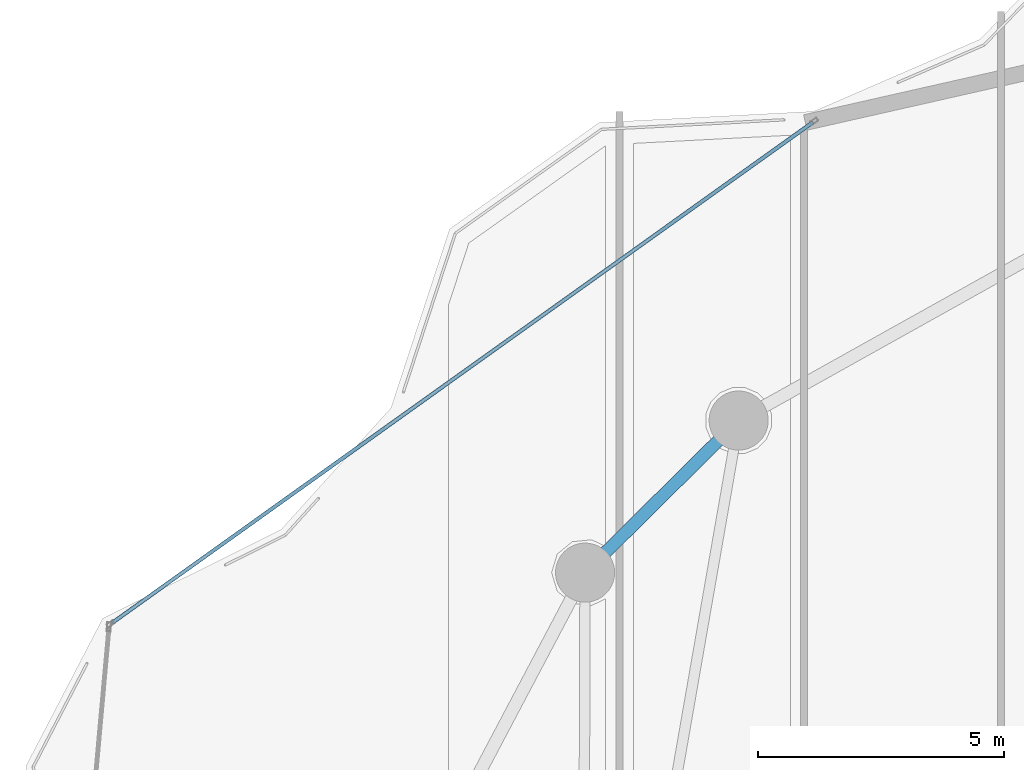
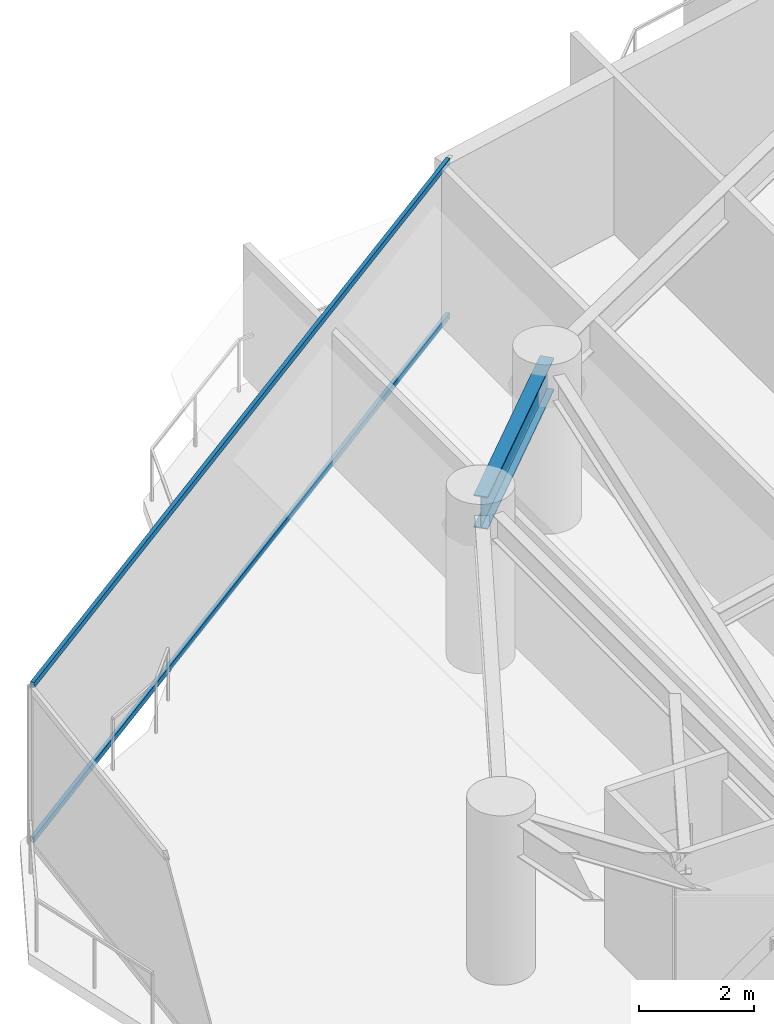
# One storey, part 18 of 33: 2 members, 1 beam, 1 element without a shape of its own.
"""IFC4 building model written with IfcOpenShell, lengths in metres."""

from ifc_helpers import new_model, si_unit, direction, frame, origin, origin_2d, place, context, subcontext, project, spatial, hollow_rectangle, i_section, extrude, material, layer, layer_set, material_profile, profile_set, type_object, element, aggregate, save


model = new_model("IFC4")

# Units and contexts
model_context = context("Model", 3, precision=1e-05, world=origin(), true_north=direction((0.0, 1.0)))
body_context = subcontext(model_context, "Body", "Model", "MODEL_VIEW")
ifc_project = project(units=[si_unit("LENGTHUNIT", "METRE"), si_unit("AREAUNIT", "SQUARE_METRE"), si_unit("VOLUMEUNIT", "CUBIC_METRE"), si_unit("PLANEANGLEUNIT", "RADIAN"), si_unit("MASSUNIT", "GRAM", prefix="KILO")], contexts=[model_context])

# Site, building, storey
site_placement = place(None, origin())
site = spatial("IfcSite", under=ifc_project, at=site_placement, CompositionType="ELEMENT")
building_placement = place(site_placement, origin())
building = spatial("IfcBuilding", under=site, at=building_placement, Name="Kazevale Care Tower and Concert Hall", CompositionType="ELEMENT")
storey_placement = place(building_placement, frame((0.0, 0.0, 145.800048828125)))
storey = spatial("IfcBuildingStorey", under=building, at=storey_placement, Name="L38", CompositionType="ELEMENT", Elevation=145.800048828125)

# Curtain wall, members
ifc_material_1 = material(Name="Aluminium 6063-T6 and Low-E Glass", Category="aluminium")
ifc_layer = layer(ifc_material_1, 0.179931640625)
ifc_layer_set = layer_set([ifc_layer], Name="Aluminium 6063-T6 and Low-E Glass")
curtain_wall_type = type_object("IfcCurtainWallType", Name="Convex Recessed Sunroom Curtain Wall CW-3", PredefinedType="NOTDEFINED", material=ifc_layer_set)
curtain_wall_placement = place(storey_placement, origin())
curtain_wall = element("IfcCurtainWall", 1, at=curtain_wall_placement, inside=storey, type_object=curtain_wall_type, Name="cw:L38:f14", PredefinedType="NOTDEFINED")
ifc_material_2 = material(Name="Aluminium 6063-T6", Category="aluminium")
ifc_material_profile_1 = material_profile(ifc_material_2, hollow_rectangle(XDim=0.074951171875, YDim=0.1201171875, WallThickness=0.00390625, at=origin_2d()), Name="ALU75x120x4")
ifc_profile_set_1 = profile_set([ifc_material_profile_1], Name="Aluminium 6063-T6")
member_type = type_object("IfcMemberType", Name="CW-3 Transom ALU75x120x4", PredefinedType="USERDEFINED", material=ifc_profile_set_1)
member_1_placement = place(storey_placement, frame((12.443115234375, 50.469482421875, 0.037353515625), z_axis=(0.813667466523, 0.581330589185, 0.0), x_axis=(-0.581330589185, 0.813667466523, 0.0)))
member_1 = element("IfcMember", 2, at=member_1_placement, type_object=member_type, Name="CW-3 transom 1.1", ObjectType="TRANSOM", PredefinedType="USERDEFINED", context=body_context, shape_type="SweptSolid", body=[
    extrude(hollow_rectangle(XDim=0.074951171875, YDim=0.1201171875, WallThickness=0.00390625, at=origin_2d()), origin(), (0.0, 0.0, 1.0), 17.495849609375),
])
member_2_placement = place(storey_placement, frame((12.443115234375, 50.469482421875, 3.322509765625), z_axis=(0.813667466523, 0.581330589185, 0.0), x_axis=(-0.581330589185, 0.813667466523, 0.0)))
member_2 = element("IfcMember", 3, at=member_2_placement, type_object=member_type, Name="CW-3 transom 1.2", ObjectType="TRANSOM", PredefinedType="USERDEFINED", context=body_context, shape_type="SweptSolid", body=[
    extrude(hollow_rectangle(XDim=0.074951171875, YDim=0.1201171875, WallThickness=0.00390625, at=origin_2d()), origin(), (0.0, 0.0, 1.0), 17.495849609375),
])
aggregate(curtain_wall, [member_1, member_2])

# Beam
ifc_material_3 = material(Name="Steel ASTM A572 Gr 50", Category="steel")
ifc_material_profile_2 = material_profile(ifc_material_3, i_section(OverallWidth=0.256103515625, OverallDepth=0.693115234375, WebThickness=0.014404296875, FlangeThickness=0.023681640625, at=origin_2d()), Name="W690x170")
ifc_profile_set_2 = profile_set([ifc_material_profile_2], Name="Steel ASTM A572 Gr 50")
beam_type = type_object("IfcBeamType", Name="Waist Ring Beam W690x170", PredefinedType="BEAM", material=ifc_profile_set_2)
beam_placement = place(storey_placement, frame((25.169921875, 54.580078125, 3.013427734375), z_axis=(-0.710490141585, -0.703707154085, 0.0), x_axis=(0.703707154085, -0.710490141585, 0.0)))
element("IfcBeam", 4, at=beam_placement, inside=storey, type_object=beam_type, Name="beam:L38:ring:07", PredefinedType="BEAM", context=body_context, shape_type="SweptSolid", body=[
    extrude(i_section(OverallWidth=0.256103515625, OverallDepth=0.693115234375, WebThickness=0.014404296875, FlangeThickness=0.023681640625, at=origin_2d()), origin(), (0.0, 0.0, 1.0), 4.39111328125),
])

save(model, "model.ifc")
